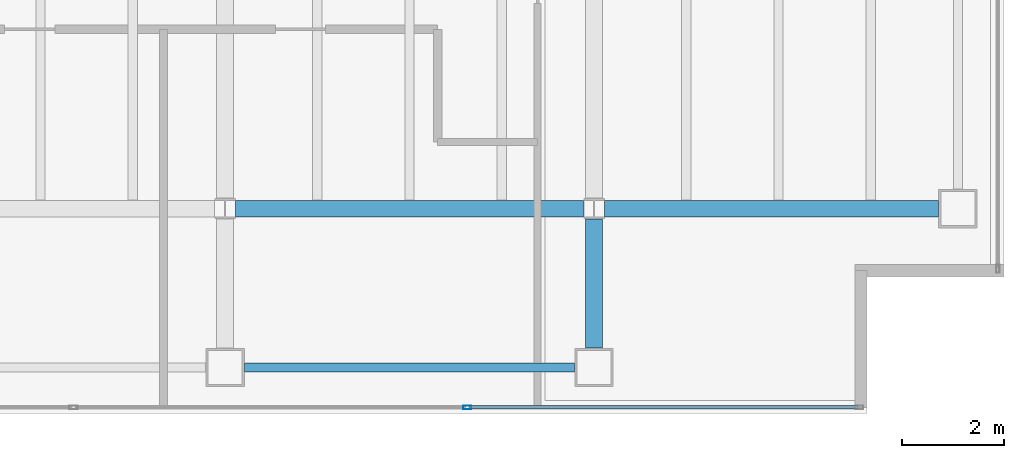
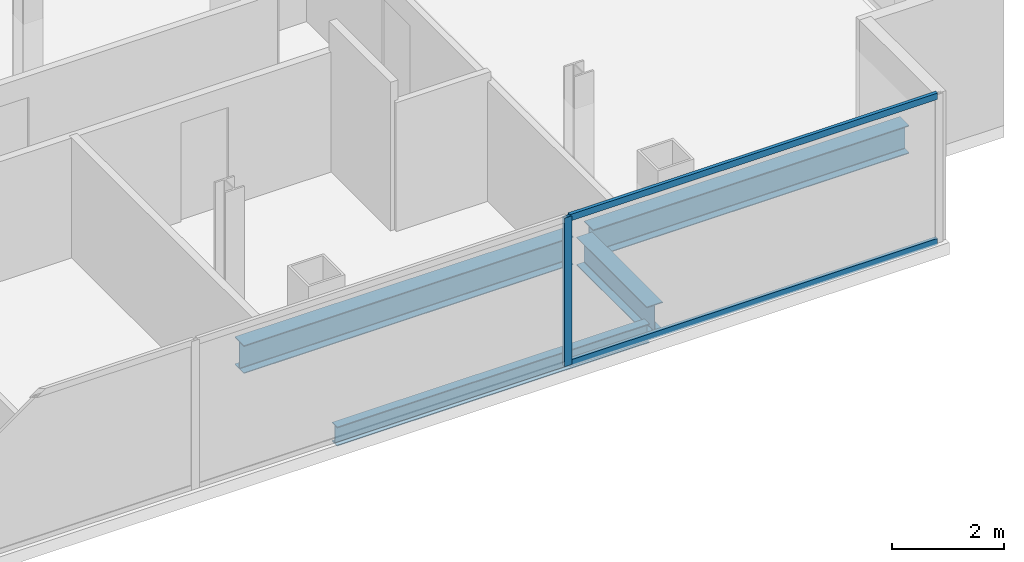
# One storey, part 10 of 23: 4 beams, 3 members, 1 element without a shape of its own.
"""IFC4 building model written with IfcOpenShell, lengths in metres."""

from ifc_helpers import new_model, si_unit, direction, frame, origin, origin_2d, place, context, subcontext, project, spatial, hollow_rectangle, i_section, extrude, material, material_profile, profile_set, type_object, element, aggregate, save


model = new_model("IFC4")

# Units and contexts
model_context = context("Model", 3, precision=1e-05, world=origin(), true_north=direction((0.0, 1.0)))
body_context = subcontext(model_context, "Body", "Model", "MODEL_VIEW")
ifc_project = project(units=[si_unit("LENGTHUNIT", "METRE"), si_unit("AREAUNIT", "SQUARE_METRE"), si_unit("VOLUMEUNIT", "CUBIC_METRE"), si_unit("PLANEANGLEUNIT", "RADIAN"), si_unit("MASSUNIT", "GRAM", prefix="KILO")], contexts=[model_context])

# Site, building, storey
site_placement = place(None, origin())
site = spatial("IfcSite", under=ifc_project, at=site_placement, CompositionType="ELEMENT")
building_placement = place(site_placement, origin())
building = spatial("IfcBuilding", under=site, at=building_placement, Name="Cobrela Telecom Tower", CompositionType="ELEMENT")
storey_placement = place(building_placement, frame((0.0, 0.0, 218.75)))
storey = spatial("IfcBuildingStorey", under=building, at=storey_placement, Name="L56", CompositionType="ELEMENT", Elevation=218.75)

# Beams
ifc_material_1 = material(Name="Steel ASTM A992 Grade 50", Category="steel")
ifc_material_profile_1 = material_profile(ifc_material_1, i_section(OverallWidth=0.324951171875, OverallDepth=0.612060546875, WebThickness=0.0126953125, FlangeThickness=0.01904296875, FilletRadius=0.014892578125, at=origin_2d()), Name="W24X104")
ifc_profile_set_1 = profile_set([ifc_material_profile_1], Name="Steel ASTM A992 Grade 50")
beam_type_1 = type_object("IfcBeamType", Name="BM-GIRD-07", PredefinedType="USERDEFINED", material=ifc_profile_set_1)
beam_1_placement = place(storey_placement, frame((29.00439453125, 7.199951171875, -0.56591796875), z_axis=(1.0, 0.0, 0.0), x_axis=(0.0, 1.0, 0.0)))
element("IfcBeam", 1, at=beam_1_placement, inside=storey, type_object=beam_type_1, Name="L56 Primary Girder X09", ObjectType="GIRDER", PredefinedType="USERDEFINED", context=body_context, shape_type="SweptSolid", body=[
    extrude(i_section(OverallWidth=0.324951171875, OverallDepth=0.612060546875, WebThickness=0.0126953125, FlangeThickness=0.01904296875, FilletRadius=0.014892578125, at=origin_2d()), origin(), (0.0, 0.0, 1.0), 6.791015625),
])
beam_2_placement = place(storey_placement, frame((36.20458984375, 7.199951171875, -0.56591796875), z_axis=(1.0, 0.0, 0.0), x_axis=(0.0, 1.0, 0.0)))
element("IfcBeam", 2, at=beam_2_placement, inside=storey, type_object=beam_type_1, Name="L56 Primary Girder X10", ObjectType="GIRDER", PredefinedType="USERDEFINED", context=body_context, shape_type="SweptSolid", body=[
    extrude(i_section(OverallWidth=0.324951171875, OverallDepth=0.612060546875, WebThickness=0.0126953125, FlangeThickness=0.01904296875, FilletRadius=0.014892578125, at=origin_2d()), origin(), (0.0, 0.0, 1.0), 6.515380859375),
])
beam_3_placement = place(storey_placement, frame((36.0, 4.47998046875, -0.56591796875), z_axis=(0.0, 1.0, 0.0), x_axis=(-1.0, 0.0, 0.0)))
element("IfcBeam", 3, at=beam_3_placement, inside=storey, type_object=beam_type_1, Name="L56 Primary Girder Y39", ObjectType="GIRDER", PredefinedType="USERDEFINED", context=body_context, shape_type="SweptSolid", body=[
    extrude(i_section(OverallWidth=0.324951171875, OverallDepth=0.612060546875, WebThickness=0.0126953125, FlangeThickness=0.01904296875, FilletRadius=0.014892578125, at=origin_2d()), origin(), (0.0, 0.0, 1.0), 2.515625),
])
ifc_material_profile_2 = material_profile(ifc_material_1, i_section(OverallWidth=0.179931640625, OverallDepth=0.4169921875, WebThickness=0.010986328125, FlangeThickness=0.01806640625, FilletRadius=0.011962890625, at=origin_2d()), Name="W16X57")
ifc_profile_set_2 = profile_set([ifc_material_profile_2], Name="Steel ASTM A992 Grade 50")
beam_type_2 = type_object("IfcBeamType", Name="BM-SPAND-06", PredefinedType="SPANDREL", material=ifc_profile_set_2)
beam_4_placement = place(storey_placement, frame((29.179931640625, 4.10009765625, -0.468505859375), z_axis=(1.0, 0.0, 0.0), x_axis=(0.0, 1.0, 0.0)))
element("IfcBeam", 4, at=beam_4_placement, inside=storey, type_object=beam_type_2, Name="L56 Perimeter Spandrel X04", PredefinedType="SPANDREL", context=body_context, shape_type="SweptSolid", body=[
    extrude(i_section(OverallWidth=0.179931640625, OverallDepth=0.4169921875, WebThickness=0.010986328125, FlangeThickness=0.01806640625, FilletRadius=0.011962890625, at=origin_2d()), origin(), (0.0, 0.0, 1.0), 6.440185546875),
])

# Curtain wall, members
ifc_material_2 = material(Name="Anodized Bronze Aluminium 6063-T6", Category="aluminium")
curtain_wall_type = type_object("IfcCurtainWallType", Name="CW-SYS-OFF-LO", PredefinedType="USERDEFINED", material=ifc_material_2)
curtain_wall_placement = place(storey_placement, origin())
curtain_wall = element("IfcCurtainWall", 5, at=curtain_wall_placement, inside=storey, type_object=curtain_wall_type, Name="L56 Unitised Bronze Curtain Wall 17", ObjectType="UNITISED CURTAIN WALL", PredefinedType="USERDEFINED")
ifc_material_profile_3 = material_profile(ifc_material_2, hollow_rectangle(XDim=0.070068359375, YDim=0.159912109375, WallThickness=0.00390625, at=origin_2d()), Name="ALU 70x160x4")
ifc_profile_set_3 = profile_set([ifc_material_profile_3], Name="Anodized Bronze Aluminium 6063-T6")
member_type_1 = type_object("IfcMemberType", Name="CW-SYS-OFF-LO-MUL", PredefinedType="MULLION", material=ifc_profile_set_3)
member_1_placement = place(storey_placement, frame((33.52587890625, 3.320068359375, 0.0), z_axis=(0.0, 0.0, 1.0), x_axis=(0.0, -1.0, 0.0)))
member_1 = element("IfcMember", 6, at=member_1_placement, type_object=member_type_1, Name="CW-OFF-LO mullion 2", PredefinedType="MULLION", context=body_context, shape_type="SweptSolid", body=[
    extrude(hollow_rectangle(XDim=0.070068359375, YDim=0.159912109375, WallThickness=0.00390625, at=origin_2d()), origin(), (0.0, 0.0, 1.0), 3.239990234375),
])
ifc_material_profile_4 = material_profile(ifc_material_2, hollow_rectangle(XDim=0.070068359375, YDim=0.139892578125, WallThickness=0.00390625, at=origin_2d()), Name="ALU 70x140x4")
ifc_profile_set_4 = profile_set([ifc_material_profile_4], Name="Anodized Bronze Aluminium 6063-T6")
member_type_2 = type_object("IfcMemberType", Name="CW-SYS-OFF-LO-TRN", PredefinedType="USERDEFINED", material=ifc_profile_set_4)
member_2_placement = place(storey_placement, frame((41.139892578125, 3.320068359375, 0.034912109375), z_axis=(-1.0, 0.0, 0.0), x_axis=(0.0, -1.0, 0.0)))
member_2 = element("IfcMember", 7, at=member_2_placement, type_object=member_type_2, Name="CW-OFF-LO transom 1.1", ObjectType="TRANSOM", PredefinedType="USERDEFINED", context=body_context, shape_type="SweptSolid", body=[
    extrude(hollow_rectangle(XDim=0.070068359375, YDim=0.139892578125, WallThickness=0.00390625, at=origin_2d()), origin(), (0.0, 0.0, 1.0), 7.578857421875),
])
member_3_placement = place(storey_placement, frame((41.139892578125, 3.320068359375, 3.205078125), z_axis=(-1.0, 0.0, 0.0), x_axis=(0.0, -1.0, 0.0)))
member_3 = element("IfcMember", 8, at=member_3_placement, type_object=member_type_2, Name="CW-OFF-LO transom 1.2", ObjectType="TRANSOM", PredefinedType="USERDEFINED", context=body_context, shape_type="SweptSolid", body=[
    extrude(hollow_rectangle(XDim=0.070068359375, YDim=0.139892578125, WallThickness=0.00390625, at=origin_2d()), origin(), (0.0, 0.0, 1.0), 7.578857421875),
])
aggregate(curtain_wall, [member_1, member_2, member_3])

save(model, "model.ifc")
